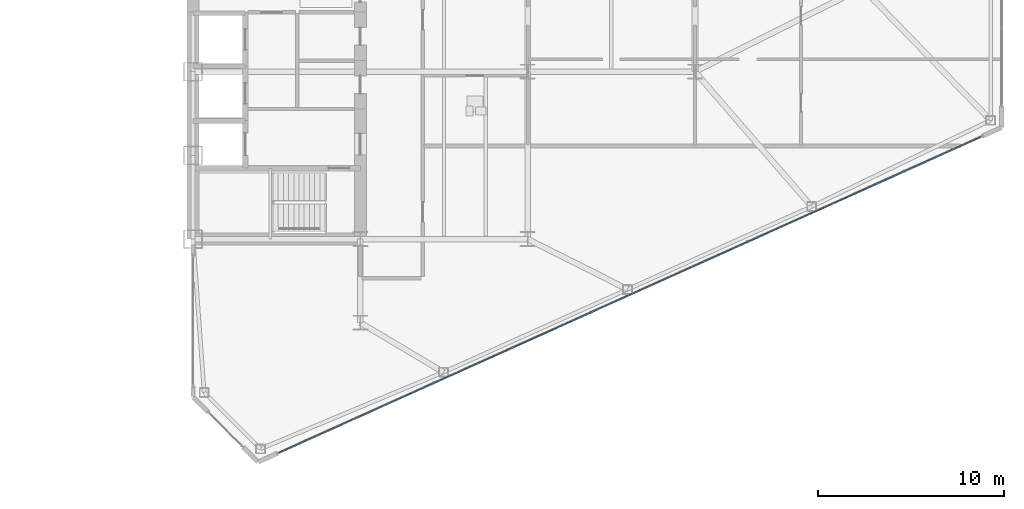
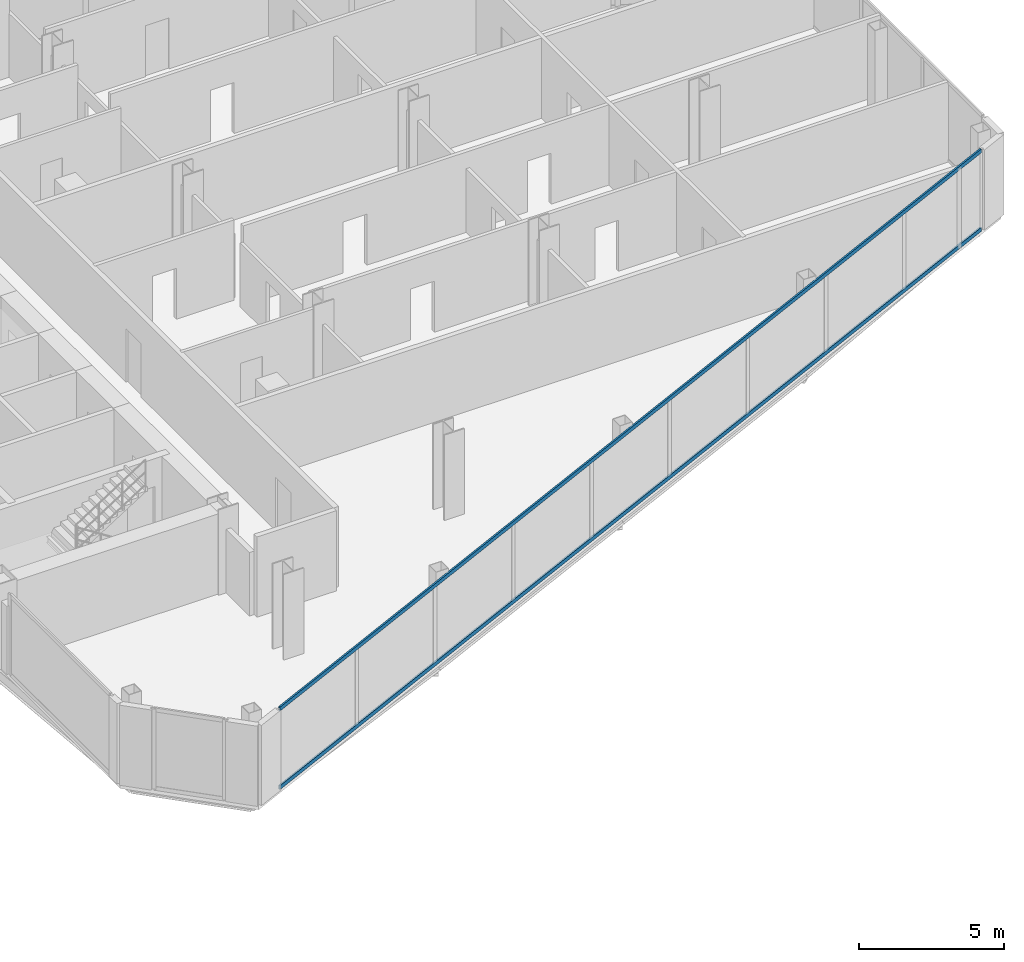
# One storey, part 11 of 27: 2 members, 1 element without a shape of its own.
"""IFC4 building model written with IfcOpenShell, lengths in metres."""

from ifc_helpers import new_model, si_unit, direction, frame, origin, origin_2d, place, context, subcontext, project, spatial, rectangle, extrude, source, transform, mapped, material, layer, layer_set, material_profile, profile_set, type_object, type_shapes, element, aggregate, save


model = new_model("IFC4")

# Units and contexts
model_context = context("Model", 3, precision=1e-05, world=origin(), true_north=direction((0.0, 1.0)))
body_context = subcontext(model_context, "Body", "Model", "MODEL_VIEW")
ifc_project = project(units=[si_unit("LENGTHUNIT", "METRE"), si_unit("AREAUNIT", "SQUARE_METRE"), si_unit("VOLUMEUNIT", "CUBIC_METRE"), si_unit("PLANEANGLEUNIT", "RADIAN"), si_unit("MASSUNIT", "GRAM", prefix="KILO")], contexts=[model_context])

# Site, building, storey
site_placement = place(None, origin())
site = spatial("IfcSite", under=ifc_project, at=site_placement, CompositionType="ELEMENT")
building_placement = place(site_placement, origin())
building = spatial("IfcBuilding", under=site, at=building_placement, Name="Seokmaru Belvedere", CompositionType="ELEMENT")
storey_placement = place(building_placement, frame((0.0, 0.0, 69.300048828125)))
storey = spatial("IfcBuildingStorey", under=building, at=storey_placement, Name="L18", CompositionType="ELEMENT", Elevation=69.300048828125)

# Curtain wall, members
ifc_material_1 = material(Name="Bronze Triple Insulating Glass", Category="glass")
ifc_layer = layer(ifc_material_1, 0.195068359375)
ifc_layer_set = layer_set([ifc_layer], Name="Bronze Triple Insulating Glass")
curtain_wall_type = type_object("IfcCurtainWallType", Name="Lower-Mid Tapered Curtain Wall System CW-3", PredefinedType="NOTDEFINED", material=ifc_layer_set)
curtain_wall_placement = place(storey_placement, origin())
curtain_wall = element("IfcCurtainWall", 1, at=curtain_wall_placement, inside=storey, type_object=curtain_wall_type, Name="L18 Curtain Wall EF1", PredefinedType="NOTDEFINED")
ifc_material_2 = material(Name="Anodised Bronze Aluminium", Category="aluminium")
ifc_material_profile = material_profile(ifc_material_2, rectangle(XDim=0.070068359375, YDim=0.1650390625, at=origin_2d()), Name="CW-T-70x165")
ifc_profile_set = profile_set([ifc_material_profile], Name="Anodised Bronze Aluminium")
member_type = type_object("IfcMemberType", Name="Bronze Unitised Transom 70x165", PredefinedType="USERDEFINED", material=ifc_profile_set)
shared_shape = source(origin(), body_context, "Body", "SweptSolid", [
    extrude(rectangle(XDim=0.070068359375, YDim=0.1650390625, at=origin_2d()), origin(), (0.0, 0.0, 1.0), 41.423583984375),
])
type_shapes(member_type, [shared_shape])
member_1_placement = place(storey_placement, frame((32.112548828125, -24.99951171875, 0.034912109375), z_axis=(0.911918637916, 0.410371048956, 0.0), x_axis=(-0.410371048956, 0.911918637916, 0.0)))
member_1 = element("IfcMember", 2, at=member_1_placement, type_object=member_type, Name="CW:L18:EF1 Continuous Transom 1", ObjectType="TRANSOM", PredefinedType="USERDEFINED", context=body_context, shape_type="MappedRepresentation", body=[
    mapped(shared_shape, transform((0.0, 0.0, 0.0), scale=1.0)),
])
member_2_placement = place(storey_placement, frame((32.112548828125, -24.99951171875, 3.344970703125), z_axis=(0.911918637916, 0.410371048956, 0.0), x_axis=(-0.410371048956, 0.911918637916, 0.0)))
member_2 = element("IfcMember", 3, at=member_2_placement, type_object=member_type, Name="CW:L18:EF1 Continuous Transom 2", ObjectType="TRANSOM", PredefinedType="USERDEFINED", context=body_context, shape_type="MappedRepresentation", body=[
    mapped(shared_shape, transform((0.0, 0.0, 0.0), scale=1.0)),
])
aggregate(curtain_wall, [member_1, member_2])

save(model, "model.ifc")
